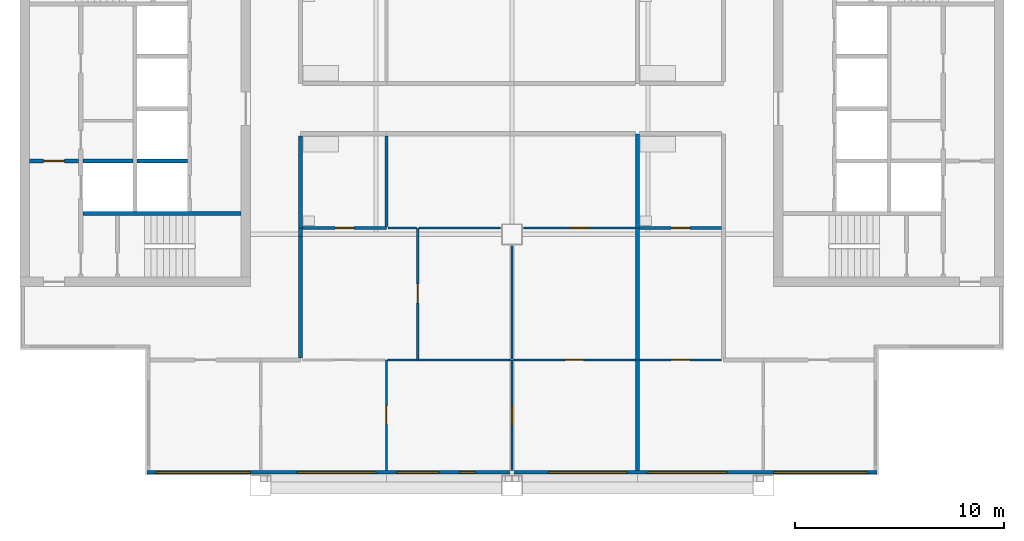
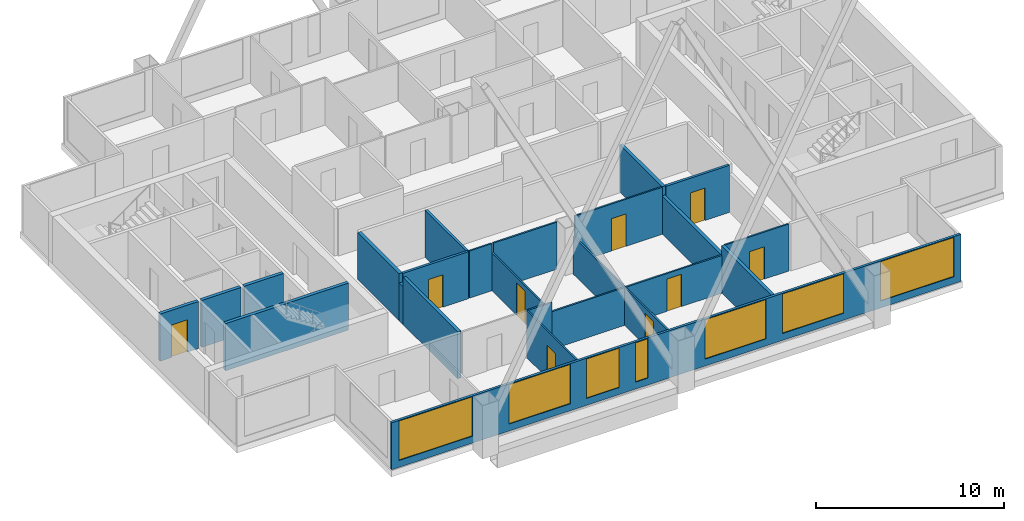
# One storey, part 2 of 8: 25 walls, 9 doors, 7 windows, 16 openings.
"""IFC4 building model written with IfcOpenShell, lengths in metres."""

from ifc_helpers import new_model, si_unit, direction, frame, frame_2d, origin, place, context, subcontext, project, spatial, rectangle, extrude, material, layer, layer_set, type_object, element, fill, save


model = new_model("IFC4")

# Units and contexts
model_context = context("Model", 3, precision=1e-05, world=origin(), true_north=direction((0.0, 1.0)))
body_context = subcontext(model_context, "Body", "Model", "MODEL_VIEW")
ifc_project = project(units=[si_unit("LENGTHUNIT", "METRE"), si_unit("AREAUNIT", "SQUARE_METRE"), si_unit("VOLUMEUNIT", "CUBIC_METRE"), si_unit("PLANEANGLEUNIT", "RADIAN"), si_unit("MASSUNIT", "GRAM", prefix="KILO")], contexts=[model_context])

# Site, building, storey
site_placement = place(None, origin())
site = spatial("IfcSite", under=ifc_project, at=site_placement, CompositionType="ELEMENT")
building_placement = place(site_placement, origin())
building = spatial("IfcBuilding", under=site, at=building_placement, Name="Kitamizu Gate Tower and Museum", CompositionType="ELEMENT")
storey_placement = place(building_placement, frame((0.0, 0.0, 259.35009765625)))
storey = spatial("IfcBuildingStorey", under=building, at=storey_placement, Name="L70", CompositionType="ELEMENT", Elevation=259.35009765625)

# Wall, opening, door
ifc_material_1 = material(Name="Gypsum board on galvanised stud")
ifc_layer_1 = layer(ifc_material_1, 0.10009765625)
ifc_layer_set_1 = layer_set([ifc_layer_1], Name="Gypsum board on galvanised stud")
wall_type_1 = type_object("IfcWallType", Name="Partition 100 NOT RATED", PredefinedType="PARTITIONING", material=ifc_layer_set_1)
wall_1_placement = place(storey_placement, frame((30.0, 12.719970703125, 0.0), z_axis=(0.0, 0.0, 1.0), x_axis=(0.0, 1.0, 0.0)))
wall_1 = element("IfcWall", 1, at=wall_1_placement, inside=storey, type_object=wall_type_1, Name="Partition L70-003", PredefinedType="PARTITIONING", context=body_context, shape_type="SweptSolid", body=[
    extrude(rectangle(XDim=5.280029296875, YDim=0.10009765625, at=frame_2d((2.64013671875, 0.0))), origin(), (0.0, 0.0, 1.0), 3.0498046875),
])
opening_1_placement = place(wall_1_placement, frame((2.18994140625, 0.0, 0.0)))
opening_1 = element("IfcOpeningElement", 2, at=opening_1_placement, cuts=wall_1, Name="Opening L70-003", PredefinedType="OPENING", context=body_context, shape_type="SweptSolid", body=[
    extrude(rectangle(XDim=0.89990234375, YDim=2.10009765625, at=frame_2d((0.449951171875, 1.050048828125))), frame((0.0, 0.06005859375, 0.0), z_axis=(0.0, -1.0, 0.0), x_axis=(1.0, 0.0, 0.0)), (0.0, 0.0, 1.0), 0.1201171875),
])
ifc_material_2 = material(Name="Timber door set", Category="wood")
door_type_1 = type_object("IfcDoorType", Name="Room door 900", OperationType="NOTDEFINED", PredefinedType="DOOR", material=ifc_material_2)
door_1_placement = place(opening_1_placement, origin())
door_1 = element("IfcDoor", 3, at=door_1_placement, inside=storey, type_object=door_type_1, Name="Door L70-003", OperationType="SINGLE_SWING_RIGHT", OverallHeight=2.10009765625, OverallWidth=0.89990234375, PredefinedType="DOOR", context=body_context, shape_type="SweptSolid", body=[
    extrude(rectangle(XDim=0.89990234375, YDim=2.10009765625, at=frame_2d((0.449951171875, 1.050048828125))), frame((0.0, 0.02490234375, 0.0), z_axis=(0.0, -1.0, 0.0), x_axis=(1.0, 0.0, 0.0)), (0.0, 0.0, 1.0), 0.050048828125),
])
fill(opening_1, door_1)

wall_2_placement = place(storey_placement, frame((36.0, 12.719970703125, 0.0), z_axis=(0.0, 0.0, 1.0), x_axis=(0.0, 1.0, 0.0)))
wall_2 = element("IfcWall", 4, at=wall_2_placement, inside=storey, type_object=wall_type_1, Name="Partition L70-006", PredefinedType="PARTITIONING", context=body_context, shape_type="SweptSolid", body=[
    extrude(rectangle(XDim=5.280029296875, YDim=0.10009765625, at=frame_2d((2.64013671875, 0.0))), origin(), (0.0, 0.0, 1.0), 2.449951171875),
])
opening_2_placement = place(wall_2_placement, frame((2.18994140625, 0.0, 0.0)))
opening_2 = element("IfcOpeningElement", 5, at=opening_2_placement, cuts=wall_2, Name="Opening L70-004", PredefinedType="OPENING", context=body_context, shape_type="SweptSolid", body=[
    extrude(rectangle(XDim=0.89990234375, YDim=2.10009765625, at=frame_2d((0.449951171875, 1.050048828125))), frame((0.0, 0.06005859375, 0.0), z_axis=(0.0, -1.0, 0.0), x_axis=(1.0, 0.0, 0.0)), (0.0, 0.0, 1.0), 0.1201171875),
])
door_2_placement = place(opening_2_placement, origin())
door_2 = element("IfcDoor", 6, at=door_2_placement, inside=storey, type_object=door_type_1, Name="Door L70-004", OperationType="SINGLE_SWING_LEFT", OverallHeight=2.10009765625, OverallWidth=0.89990234375, PredefinedType="DOOR", context=body_context, shape_type="SweptSolid", body=[
    extrude(rectangle(XDim=0.89990234375, YDim=2.10009765625, at=frame_2d((0.449951171875, 1.050048828125))), frame((0.0, 0.02490234375, 0.0), z_axis=(0.0, -1.0, 0.0), x_axis=(1.0, 0.0, 0.0)), (0.0, 0.0, 1.0), 0.050048828125),
])
fill(opening_2, door_2)

# Walls
wall_3_placement = place(storey_placement, frame((31.5, 18.0, 0.0), z_axis=(0.0, 0.0, 1.0), x_axis=(-1.0, 0.0, 0.0)))
element("IfcWall", 7, at=wall_3_placement, inside=storey, type_object=wall_type_1, Name="Partition L70-007", PredefinedType="PARTITIONING", context=body_context, shape_type="SweptSolid", body=[
    extrude(rectangle(XDim=1.449951171875, YDim=0.10009765625, at=frame_2d((0.72509765625, 0.0))), origin(), (0.0, 0.0, 1.0), 3.0498046875),
])
wall_4_placement = place(storey_placement, frame((35.949951171875, 18.0, 0.0), z_axis=(0.0, 0.0, 1.0), x_axis=(-1.0, 0.0, 0.0)))
element("IfcWall", 8, at=wall_4_placement, inside=storey, type_object=wall_type_1, Name="Partition L70-008", PredefinedType="PARTITIONING", context=body_context, shape_type="SweptSolid", body=[
    extrude(rectangle(XDim=4.449951171875, YDim=0.10009765625, at=frame_2d((2.22509765625, 0.0))), origin(), (0.0, 0.0, 1.0), 2.449951171875),
])

# Wall, opening, door
wall_5_placement = place(storey_placement, frame((41.89990234375, 18.0, 0.0), z_axis=(0.0, 0.0, 1.0), x_axis=(-1.0, 0.0, 0.0)))
wall_5 = element("IfcWall", 9, at=wall_5_placement, inside=storey, type_object=wall_type_1, Name="Partition L70-009", PredefinedType="PARTITIONING", context=body_context, shape_type="SweptSolid", body=[
    extrude(rectangle(XDim=5.849853515625, YDim=0.10009765625, at=frame_2d((2.9248046875, 0.0))), origin(), (0.0, 0.0, 1.0), 2.449951171875),
])
opening_3_placement = place(wall_5_placement, frame((2.47509765625, 0.0, 0.0)))
opening_3 = element("IfcOpeningElement", 10, at=opening_3_placement, cuts=wall_5, Name="Opening L70-007", PredefinedType="OPENING", context=body_context, shape_type="SweptSolid", body=[
    extrude(rectangle(XDim=0.89990234375, YDim=2.10009765625, at=frame_2d((0.449951171875, 1.050048828125))), frame((0.0, 0.06005859375, 0.0), z_axis=(0.0, -1.0, 0.0), x_axis=(1.0, 0.0, 0.0)), (0.0, 0.0, 1.0), 0.1201171875),
])
door_3_placement = place(opening_3_placement, origin())
door_3 = element("IfcDoor", 11, at=door_3_placement, inside=storey, type_object=door_type_1, Name="Door L70-007", OperationType="SINGLE_SWING_RIGHT", OverallHeight=2.10009765625, OverallWidth=0.89990234375, PredefinedType="DOOR", context=body_context, shape_type="SweptSolid", body=[
    extrude(rectangle(XDim=0.89990234375, YDim=2.10009765625, at=frame_2d((0.449951171875, 1.050048828125))), frame((0.0, 0.02490234375, 0.0), z_axis=(0.0, -1.0, 0.0), x_axis=(1.0, 0.0, 0.0)), (0.0, 0.0, 1.0), 0.050048828125),
])
fill(opening_3, door_3)

wall_6_placement = place(storey_placement, frame((31.5, 18.050048828125, 0.0), z_axis=(0.0, 0.0, 1.0), x_axis=(0.0, 1.0, 0.0)))
wall_6 = element("IfcWall", 12, at=wall_6_placement, inside=storey, type_object=wall_type_1, Name="Partition L70-011", PredefinedType="PARTITIONING", context=body_context, shape_type="SweptSolid", body=[
    extrude(rectangle(XDim=6.25, YDim=0.10009765625, at=frame_2d((3.125, 0.0))), origin(), (0.0, 0.0, 1.0), 2.449951171875),
])
opening_4_placement = place(wall_6_placement, frame((2.675048828125, 0.0, 0.0)))
opening_4 = element("IfcOpeningElement", 13, at=opening_4_placement, cuts=wall_6, Name="Opening L70-006", PredefinedType="OPENING", context=body_context, shape_type="SweptSolid", body=[
    extrude(rectangle(XDim=0.89990234375, YDim=2.10009765625, at=frame_2d((0.449951171875, 1.050048828125))), frame((0.0, 0.06005859375, 0.0), z_axis=(0.0, -1.0, 0.0), x_axis=(1.0, 0.0, 0.0)), (0.0, 0.0, 1.0), 0.1201171875),
])
door_4_placement = place(opening_4_placement, frame((0.89990234375, 0.0, 0.0), x_axis=(-1.0, 0.0, 0.0)))
door_4 = element("IfcDoor", 14, at=door_4_placement, inside=storey, type_object=door_type_1, Name="Door L70-006", OperationType="SINGLE_SWING_RIGHT", OverallHeight=2.10009765625, OverallWidth=0.89990234375, PredefinedType="DOOR", context=body_context, shape_type="SweptSolid", body=[
    extrude(rectangle(XDim=0.89990234375, YDim=2.10009765625, at=frame_2d((0.449951171875, 1.050048828125))), frame((0.0, 0.02490234375, 0.0), z_axis=(0.0, -1.0, 0.0), x_axis=(1.0, 0.0, 0.0)), (0.0, 0.0, 1.0), 0.050048828125),
])
fill(opening_4, door_4)

# Walls
wall_7_placement = place(storey_placement, frame((31.449951171875, 24.300048828125, 0.0), z_axis=(0.0, 0.0, 1.0), x_axis=(-1.0, 0.0, 0.0)))
element("IfcWall", 15, at=wall_7_placement, inside=storey, type_object=wall_type_1, Name="Partition L70-013", PredefinedType="PARTITIONING", context=body_context, shape_type="SweptSolid", body=[
    extrude(rectangle(XDim=1.375, YDim=0.10009765625, at=frame_2d((0.6875, 0.0))), origin(), (0.0, 0.0, 1.0), 3.0498046875),
])
wall_8_placement = place(storey_placement, frame((36.0, 18.050048828125, 0.0), z_axis=(0.0, 0.0, 1.0), x_axis=(0.0, 1.0, 0.0)))
element("IfcWall", 16, at=wall_8_placement, inside=storey, type_object=wall_type_1, Name="Partition L70-016", PredefinedType="PARTITIONING", context=body_context, shape_type="SweptSolid", body=[
    extrude(rectangle(XDim=5.39990234375, YDim=0.10009765625, at=frame_2d((2.699951171875, 0.0))), origin(), (0.0, 0.0, 1.0), 2.449951171875),
])
wall_9_placement = place(storey_placement, frame((35.449951171875, 24.300048828125, 0.0), z_axis=(0.0, 0.0, 1.0), x_axis=(-1.0, 0.0, 0.0)))
element("IfcWall", 17, at=wall_9_placement, inside=storey, type_object=wall_type_1, Name="Partition L70-017", PredefinedType="PARTITIONING", context=body_context, shape_type="SweptSolid", body=[
    extrude(rectangle(XDim=3.89990234375, YDim=0.10009765625, at=frame_2d((1.949951171875, 0.0))), origin(), (0.0, 0.0, 1.0), 3.0498046875),
])

# Wall, opening, door
wall_10_placement = place(storey_placement, frame((41.89990234375, 24.300048828125, 0.0), z_axis=(0.0, 0.0, 1.0), x_axis=(-1.0, 0.0, 0.0)))
wall_10 = element("IfcWall", 18, at=wall_10_placement, inside=storey, type_object=wall_type_1, Name="Partition L70-018", PredefinedType="PARTITIONING", context=body_context, shape_type="SweptSolid", body=[
    extrude(rectangle(XDim=5.349853515625, YDim=0.10009765625, at=frame_2d((2.6748046875, 0.0))), origin(), (0.0, 0.0, 1.0), 3.0498046875),
])
opening_5_placement = place(wall_10_placement, frame((2.22509765625, 0.0, 0.0)))
opening_5 = element("IfcOpeningElement", 19, at=opening_5_placement, cuts=wall_10, Name="Opening L70-009", PredefinedType="OPENING", context=body_context, shape_type="SweptSolid", body=[
    extrude(rectangle(XDim=0.89990234375, YDim=2.10009765625, at=frame_2d((0.449951171875, 1.050048828125))), frame((0.0, 0.06005859375, 0.0), z_axis=(0.0, -1.0, 0.0), x_axis=(1.0, 0.0, 0.0)), (0.0, 0.0, 1.0), 0.1201171875),
])
door_5_placement = place(opening_5_placement, origin())
door_5 = element("IfcDoor", 20, at=door_5_placement, inside=storey, type_object=door_type_1, Name="Door L70-009", OperationType="SINGLE_SWING_RIGHT", OverallHeight=2.10009765625, OverallWidth=0.89990234375, PredefinedType="DOOR", context=body_context, shape_type="SweptSolid", body=[
    extrude(rectangle(XDim=0.89990234375, YDim=2.10009765625, at=frame_2d((0.449951171875, 1.050048828125))), frame((0.0, 0.02490234375, 0.0), z_axis=(0.0, -1.0, 0.0), x_axis=(1.0, 0.0, 0.0)), (0.0, 0.0, 1.0), 0.050048828125),
])
fill(opening_5, door_5)

wall_11_placement = place(storey_placement, frame((46.0, 18.0, 0.0), z_axis=(0.0, 0.0, 1.0), x_axis=(-1.0, 0.0, 0.0)))
wall_11 = element("IfcWall", 21, at=wall_11_placement, inside=storey, type_object=wall_type_1, Name="Partition L70-060", PredefinedType="PARTITIONING", context=body_context, shape_type="SweptSolid", body=[
    extrude(rectangle(XDim=3.89990234375, YDim=0.10009765625, at=frame_2d((1.949951171875, 0.0))), origin(), (0.0, 0.0, 1.0), 3.0498046875),
])
opening_6_placement = place(wall_11_placement, frame((1.5, 0.0, 0.0)))
opening_6 = element("IfcOpeningElement", 22, at=opening_6_placement, cuts=wall_11, Name="Opening L70-023", PredefinedType="OPENING", context=body_context, shape_type="SweptSolid", body=[
    extrude(rectangle(XDim=0.89990234375, YDim=2.10009765625, at=frame_2d((0.449951171875, 1.050048828125))), frame((0.0, 0.06005859375, 0.0), z_axis=(0.0, -1.0, 0.0), x_axis=(1.0, 0.0, 0.0)), (0.0, 0.0, 1.0), 0.1201171875),
])
door_6_placement = place(opening_6_placement, frame((0.89990234375, 0.0, 0.0), x_axis=(-1.0, 0.0, 0.0)))
door_6 = element("IfcDoor", 23, at=door_6_placement, inside=storey, type_object=door_type_1, Name="Door L70-023", OperationType="SINGLE_SWING_LEFT", OverallHeight=2.10009765625, OverallWidth=0.89990234375, PredefinedType="DOOR", context=body_context, shape_type="SweptSolid", body=[
    extrude(rectangle(XDim=0.89990234375, YDim=2.10009765625, at=frame_2d((0.449951171875, 1.050048828125))), frame((0.0, 0.02490234375, 0.0), z_axis=(0.0, -1.0, 0.0), x_axis=(1.0, 0.0, 0.0)), (0.0, 0.0, 1.0), 0.050048828125),
])
fill(opening_6, door_6)

ifc_material_3 = material(Name="Gypsum board on galvanised stud")
ifc_layer_2 = layer(ifc_material_3, 0.14990234375)
ifc_layer_set_2 = layer_set([ifc_layer_2], Name="Gypsum board on galvanised stud")
wall_type_2 = type_object("IfcWallType", Name="Partition 150", PredefinedType="PARTITIONING", material=ifc_layer_set_2)
wall_12_placement = place(storey_placement, frame((30.0, 24.300048828125, 0.0), z_axis=(0.0, 0.0, 1.0), x_axis=(-1.0, 0.0, 0.0)))
wall_12 = element("IfcWall", 24, at=wall_12_placement, inside=storey, type_object=wall_type_2, Name="Partition L70-012", PredefinedType="PARTITIONING", context=body_context, shape_type="SweptSolid", body=[
    extrude(rectangle(XDim=4.0, YDim=0.14990234375, at=frame_2d((2.0, 0.0))), origin(), (0.0, 0.0, 1.0), 3.0498046875),
])
opening_7_placement = place(wall_12_placement, frame((1.550048828125, 0.0, 0.0)))
opening_7 = element("IfcOpeningElement", 25, at=opening_7_placement, cuts=wall_12, Name="Opening L70-008", PredefinedType="OPENING", context=body_context, shape_type="SweptSolid", body=[
    extrude(rectangle(XDim=0.89990234375, YDim=2.10009765625, at=frame_2d((0.449951171875, 1.050048828125))), frame((0.0, 0.0849609375, 0.0), z_axis=(0.0, -1.0, 0.0), x_axis=(1.0, 0.0, 0.0)), (0.0, 0.0, 1.0), 0.169921875),
])
ifc_material_4 = material(Name="Timber door set", Category="wood")
door_type_2 = type_object("IfcDoorType", Name="Bathroom door 900", OperationType="NOTDEFINED", PredefinedType="DOOR", material=ifc_material_4)
door_7_placement = place(opening_7_placement, frame((0.89990234375, 0.0, 0.0), x_axis=(-1.0, 0.0, 0.0)))
door_7 = element("IfcDoor", 26, at=door_7_placement, inside=storey, type_object=door_type_2, Name="Bathroom door L70-008", OperationType="SINGLE_SWING_RIGHT", OverallHeight=2.10009765625, OverallWidth=0.89990234375, PredefinedType="DOOR", context=body_context, shape_type="SweptSolid", body=[
    extrude(rectangle(XDim=0.89990234375, YDim=2.10009765625, at=frame_2d((0.449951171875, 1.050048828125))), frame((0.0, 0.02490234375, 0.0), z_axis=(0.0, -1.0, 0.0), x_axis=(1.0, 0.0, 0.0)), (0.0, 0.0, 1.0), 0.050048828125),
])
fill(opening_7, door_7)

# Wall
wall_13_placement = place(storey_placement, frame((30.0, 24.375, 0.0), z_axis=(0.0, 0.0, 1.0), x_axis=(0.0, 1.0, 0.0)))
element("IfcWall", 27, at=wall_13_placement, inside=storey, type_object=wall_type_2, Name="Partition L70-020", PredefinedType="PARTITIONING", context=body_context, shape_type="SweptSolid", body=[
    extrude(rectangle(XDim=4.324951171875, YDim=0.14990234375, at=frame_2d((2.16259765625, 0.0))), origin(), (0.0, 0.0, 1.0), 3.0498046875),
])

# Wall, opening, door
wall_14_placement = place(storey_placement, frame((46.0, 24.300048828125, 0.0), z_axis=(0.0, 0.0, 1.0), x_axis=(-1.0, 0.0, 0.0)))
wall_14 = element("IfcWall", 28, at=wall_14_placement, inside=storey, type_object=wall_type_2, Name="Partition L70-063", PredefinedType="PARTITIONING", context=body_context, shape_type="SweptSolid", body=[
    extrude(rectangle(XDim=3.89990234375, YDim=0.14990234375, at=frame_2d((1.949951171875, 0.0))), origin(), (0.0, 0.0, 1.0), 3.0498046875),
])
opening_8_placement = place(wall_14_placement, frame((1.5, 0.0, 0.0)))
opening_8 = element("IfcOpeningElement", 29, at=opening_8_placement, cuts=wall_14, Name="Opening L70-024", PredefinedType="OPENING", context=body_context, shape_type="SweptSolid", body=[
    extrude(rectangle(XDim=0.89990234375, YDim=2.10009765625, at=frame_2d((0.449951171875, 1.050048828125))), frame((0.0, 0.0849609375, 0.0), z_axis=(0.0, -1.0, 0.0), x_axis=(1.0, 0.0, 0.0)), (0.0, 0.0, 1.0), 0.169921875),
])
door_8_placement = place(opening_8_placement, frame((0.89990234375, 0.0, 0.0), x_axis=(-1.0, 0.0, 0.0)))
door_8 = element("IfcDoor", 30, at=door_8_placement, inside=storey, type_object=door_type_2, Name="Bathroom door L70-024", OperationType="SINGLE_SWING_RIGHT", OverallHeight=2.10009765625, OverallWidth=0.89990234375, PredefinedType="DOOR", context=body_context, shape_type="SweptSolid", body=[
    extrude(rectangle(XDim=0.89990234375, YDim=2.10009765625, at=frame_2d((0.449951171875, 1.050048828125))), frame((0.0, 0.02490234375, 0.0), z_axis=(0.0, -1.0, 0.0), x_axis=(1.0, 0.0, 0.0)), (0.0, 0.0, 1.0), 0.050048828125),
])
fill(opening_8, door_8)

# Walls
ifc_material_5 = material(Name="Gypsum board on galvanised stud")
ifc_layer_3 = layer(ifc_material_5, 0.199951171875)
ifc_layer_set_3 = layer_set([ifc_layer_3], Name="Gypsum board on galvanised stud")
wall_type_3 = type_object("IfcWallType", Name="Partition 200", PredefinedType="PARTITIONING", material=ifc_layer_set_3)
wall_15_placement = place(storey_placement, frame((42.0, 12.719970703125, 0.0), z_axis=(0.0, 0.0, 1.0), x_axis=(0.0, 1.0, 0.0)))
element("IfcWall", 31, at=wall_15_placement, inside=storey, type_object=wall_type_3, Name="Partition L70-010", PredefinedType="PARTITIONING", context=body_context, shape_type="SweptSolid", body=[
    extrude(rectangle(XDim=5.280029296875, YDim=0.199951171875, at=frame_2d((2.64013671875, 0.0))), origin(), (0.0, 0.0, 1.0), 3.0498046875),
])
wall_16_placement = place(storey_placement, frame((25.89990234375, 24.300048828125, 0.0), z_axis=(0.0, 0.0, 1.0), x_axis=(0.0, -1.0, 0.0)))
element("IfcWall", 32, at=wall_16_placement, inside=storey, type_object=wall_type_3, Name="Partition L70-014", PredefinedType="PARTITIONING", context=body_context, shape_type="SweptSolid", body=[
    extrude(rectangle(XDim=0.400146484375, YDim=0.199951171875, at=frame_2d((0.2001953125, 0.0))), origin(), (0.0, 0.0, 1.0), 2.449951171875),
])
wall_17_placement = place(storey_placement, frame((25.89990234375, 23.89990234375, 0.0), z_axis=(0.0, 0.0, 1.0), x_axis=(0.0, -1.0, 0.0)))
element("IfcWall", 33, at=wall_17_placement, inside=storey, type_object=wall_type_3, Name="Partition L70-015", PredefinedType="PARTITIONING", context=body_context, shape_type="SweptSolid", body=[
    extrude(rectangle(XDim=5.7998046875, YDim=0.199951171875, at=frame_2d((2.89990234375, 0.0))), origin(), (0.0, 0.0, 1.0), 3.0498046875),
])
wall_18_placement = place(storey_placement, frame((42.0, 18.0, 0.0), z_axis=(0.0, 0.0, 1.0), x_axis=(0.0, 1.0, 0.0)))
element("IfcWall", 34, at=wall_18_placement, inside=storey, type_object=wall_type_3, Name="Partition L70-019", PredefinedType="PARTITIONING", context=body_context, shape_type="SweptSolid", body=[
    extrude(rectangle(XDim=6.300048828125, YDim=0.199951171875, at=frame_2d((3.14990234375, 0.0))), origin(), (0.0, 0.0, 1.0), 2.449951171875),
])
wall_19_placement = place(storey_placement, frame((25.89990234375, 28.699951171875, 0.0), z_axis=(0.0, 0.0, 1.0), x_axis=(0.0, -1.0, 0.0)))
element("IfcWall", 35, at=wall_19_placement, inside=storey, type_object=wall_type_3, Name="Partition L70-022", PredefinedType="PARTITIONING", context=body_context, shape_type="SweptSolid", body=[
    extrude(rectangle(XDim=4.39990234375, YDim=0.199951171875, at=frame_2d((2.199951171875, 0.0))), origin(), (0.0, 0.0, 1.0), 3.0498046875),
])
wall_20_placement = place(storey_placement, frame((42.0, 24.300048828125, 0.0), z_axis=(0.0, 0.0, 1.0), x_axis=(0.0, 1.0, 0.0)))
element("IfcWall", 36, at=wall_20_placement, inside=storey, type_object=wall_type_3, Name="Partition L70-023", PredefinedType="PARTITIONING", context=body_context, shape_type="SweptSolid", body=[
    extrude(rectangle(XDim=4.5, YDim=0.199951171875, at=frame_2d((2.25, 0.0))), origin(), (0.0, 0.0, 1.0), 3.0498046875),
])
ifc_material_6 = material(Name="Concrete Fc42", Category="concrete")
ifc_layer_4 = layer(ifc_material_6, 0.199951171875)
ifc_layer_set_4 = layer_set([ifc_layer_4], Name="Concrete Fc42")
wall_type_4 = type_object("IfcWallType", Name="Shaft wall 200", PredefinedType="SOLIDWALL", material=ifc_layer_set_4)
wall_21_placement = place(storey_placement, frame((15.5, 25.0, 0.0), z_axis=(0.0, 0.0, 1.0), x_axis=(1.0, 0.0, 0.0)))
element("IfcWall", 37, at=wall_21_placement, inside=storey, type_object=wall_type_4, Name="Shaft wall WSB", PredefinedType="SOLIDWALL", context=body_context, shape_type="SweptSolid", body=[
    extrude(rectangle(XDim=7.550048828125, YDim=0.199951171875, at=frame_2d((3.77490234375, 0.0))), origin(), (0.0, 0.0, 1.0), 3.0498046875),
])

# Wall, opening, door
wall_22_placement = place(storey_placement, frame((12.949951171875, 27.5, 0.0), z_axis=(0.0, 0.0, 1.0), x_axis=(1.0, 0.0, 0.0)))
wall_22 = element("IfcWall", 38, at=wall_22_placement, inside=storey, type_object=wall_type_4, Name="Shaft wall WFFN", PredefinedType="SOLIDWALL", context=body_context, shape_type="SweptSolid", body=[
    extrude(rectangle(XDim=2.35009765625, YDim=0.199951171875, at=frame_2d((1.175048828125, 0.0))), origin(), (0.0, 0.0, 1.0), 3.0498046875),
])
opening_9_placement = place(wall_22_placement, frame((0.675048828125, 0.0, 0.0)))
opening_9 = element("IfcOpeningElement", 39, at=opening_9_placement, cuts=wall_22, Name="Opening L70-033", PredefinedType="OPENING", context=body_context, shape_type="SweptSolid", body=[
    extrude(rectangle(XDim=1.0, YDim=2.10009765625, at=frame_2d((0.5, 1.050048828125))), frame((0.0, 0.10986328125, 0.0), z_axis=(0.0, -1.0, 0.0), x_axis=(1.0, 0.0, 0.0)), (0.0, 0.0, 1.0), 0.219970703125),
])
ifc_material_7 = material(Name="Hollow metal door set")
door_type_3 = type_object("IfcDoorType", Name="Fire door 1000", OperationType="NOTDEFINED", PredefinedType="DOOR", material=ifc_material_7)
door_9_placement = place(opening_9_placement, frame((1.0, 0.0, 0.0), x_axis=(-1.0, 0.0, 0.0)))
door_9 = element("IfcDoor", 40, at=door_9_placement, inside=storey, type_object=door_type_3, Name="Fire-fighting lobby door L70-033", OperationType="SINGLE_SWING_LEFT", OverallHeight=2.10009765625, OverallWidth=1.0, PredefinedType="DOOR", context=body_context, shape_type="SweptSolid", body=[
    extrude(rectangle(XDim=1.0, YDim=2.10009765625, at=frame_2d((0.5, 1.050048828125))), frame((0.0, 0.02490234375, 0.0), z_axis=(0.0, -1.0, 0.0), x_axis=(1.0, 0.0, 0.0)), (0.0, 0.0, 1.0), 0.050048828125),
])
fill(opening_9, door_9)

# Walls
for number, where, z_axis, x_axis, name in (
    (41, (15.5, 27.5, 0.0), (0.0, 0.0, 1.0), (1.0, 0.0, 0.0), "Shaft wall WDVW0"),
    (42, (18.10009765625, 27.5, 0.0), (0.0, 0.0, 1.0), (1.0, 0.0, 0.0), "Shaft wall WDVE0"),
):
    element("IfcWall", number, at=place(storey_placement, frame(where, z_axis=z_axis, x_axis=x_axis)), inside=storey, type_object=wall_type_4, Name=name, PredefinedType="SOLIDWALL", context=body_context, shape_type="SweptSolid", body=[
        extrude(rectangle(XDim=2.39990234375, YDim=0.199951171875, at=frame_2d((1.199951171875, 0.0))), origin(), (0.0, 0.0, 1.0), 3.0498046875),
    ])

# Wall, openings, windows
ifc_material_8 = material(Name="Bronze anodised aluminium frame with insulated spandrel and tinted glass", Category="aluminium")
ifc_layer_5 = layer(ifc_material_8, 0.14990234375)
ifc_layer_set_5 = layer_set([ifc_layer_5], Name="Bronze anodised aluminium frame with insulated spandrel and tinted glass")
wall_type_5 = type_object("IfcWallType", Name="WINDOW WALL 150 BRONZE FRAME EI 30", PredefinedType="ELEMENTEDWALL", material=ifc_layer_set_5)
wall_23_placement = place(storey_placement, frame((18.56005859375, 12.635009765625, 0.0), z_axis=(0.0, 0.0, 1.0), x_axis=(1.0, 0.0, 0.0)))
wall_23 = element("IfcWall", 43, at=wall_23_placement, inside=storey, type_object=wall_type_5, Name="Window wall south L70", PredefinedType="ELEMENTEDWALL", context=body_context, shape_type="SweptSolid", body=[
    extrude(rectangle(XDim=34.8798828125, YDim=0.14990234375, at=frame_2d((17.43994140625, 0.0))), origin(), (0.0, 0.0, 1.0), 3.0498046875),
])
opening_10_placement = place(wall_23_placement, frame((0.43994140625, 0.0, 0.449951171875)))
opening_10 = element("IfcOpeningElement", 44, at=opening_10_placement, cuts=wall_23, Name="Opening W15", PredefinedType="OPENING", context=body_context, shape_type="SweptSolid", body=[
    extrude(rectangle(XDim=4.5, YDim=2.550048828125, at=frame_2d((2.25, 1.27490234375))), frame((0.0, 0.0849609375, 0.0), z_axis=(0.0, -1.0, 0.0), x_axis=(1.0, 0.0, 0.0)), (0.0, 0.0, 1.0), 0.169921875),
])
opening_11_placement = place(wall_23_placement, frame((7.18994140625, 0.0, 0.449951171875)))
opening_11 = element("IfcOpeningElement", 45, at=opening_11_placement, cuts=wall_23, Name="Opening W36", PredefinedType="OPENING", context=body_context, shape_type="SweptSolid", body=[
    extrude(rectangle(XDim=3.75, YDim=2.550048828125, at=frame_2d((1.875, 1.27490234375))), frame((0.0, 0.0849609375, 0.0), z_axis=(0.0, -1.0, 0.0), x_axis=(1.0, 0.0, 0.0)), (0.0, 0.0, 1.0), 0.169921875),
])
opening_12_placement = place(wall_23_placement, frame((11.93994140625, 0.0, 0.449951171875)))
opening_12 = element("IfcOpeningElement", 46, at=opening_12_placement, cuts=wall_23, Name="Opening W2", PredefinedType="OPENING", context=body_context, shape_type="SweptSolid", body=[
    extrude(rectangle(XDim=2.0, YDim=2.550048828125, at=frame_2d((1.0, 1.27490234375))), frame((0.0, 0.0849609375, 0.0), z_axis=(0.0, -1.0, 0.0), x_axis=(1.0, 0.0, 0.0)), (0.0, 0.0, 1.0), 0.169921875),
])
opening_13_placement = place(wall_23_placement, frame((14.93994140625, 0.0, 0.449951171875)))
opening_13 = element("IfcOpeningElement", 47, at=opening_13_placement, cuts=wall_23, Name="Opening W25", PredefinedType="OPENING", context=body_context, shape_type="SweptSolid", body=[
    extrude(rectangle(XDim=0.75, YDim=2.550048828125, at=frame_2d((0.375, 1.27490234375))), frame((0.0, 0.0849609375, 0.0), z_axis=(0.0, -1.0, 0.0), x_axis=(1.0, 0.0, 0.0)), (0.0, 0.0, 1.0), 0.169921875),
])
opening_14_placement = place(wall_23_placement, frame((19.18994140625, 0.0, 0.449951171875)))
opening_14 = element("IfcOpeningElement", 48, at=opening_14_placement, cuts=wall_23, Name="Opening W36", PredefinedType="OPENING", context=body_context, shape_type="SweptSolid", body=[
    extrude(rectangle(XDim=3.75, YDim=2.550048828125, at=frame_2d((1.875, 1.27490234375))), frame((0.0, 0.0849609375, 0.0), z_axis=(0.0, -1.0, 0.0), x_axis=(1.0, 0.0, 0.0)), (0.0, 0.0, 1.0), 0.169921875),
])
opening_15_placement = place(wall_23_placement, frame((23.93994140625, 0.0, 0.449951171875)))
opening_15 = element("IfcOpeningElement", 49, at=opening_15_placement, cuts=wall_23, Name="Opening W36", PredefinedType="OPENING", context=body_context, shape_type="SweptSolid", body=[
    extrude(rectangle(XDim=3.75, YDim=2.550048828125, at=frame_2d((1.875, 1.27490234375))), frame((0.0, 0.0849609375, 0.0), z_axis=(0.0, -1.0, 0.0), x_axis=(1.0, 0.0, 0.0)), (0.0, 0.0, 1.0), 0.169921875),
])
opening_16_placement = place(wall_23_placement, frame((29.93994140625, 0.0, 0.449951171875)))
opening_16 = element("IfcOpeningElement", 50, at=opening_16_placement, cuts=wall_23, Name="Opening W15", PredefinedType="OPENING", context=body_context, shape_type="SweptSolid", body=[
    extrude(rectangle(XDim=4.5, YDim=2.550048828125, at=frame_2d((2.25, 1.27490234375))), frame((0.0, 0.0849609375, 0.0), z_axis=(0.0, -1.0, 0.0), x_axis=(1.0, 0.0, 0.0)), (0.0, 0.0, 1.0), 0.169921875),
])
ifc_material_9 = material(Name="Bronze anodised aluminium frame, tinted triple glazing", Category="aluminium")
window_type_1 = type_object("IfcWindowType", Name="WINDOW 2000 x 2550 SILL 450", PartitioningType="SINGLE_PANEL", PredefinedType="WINDOW", material=ifc_material_9)
window_1_placement = place(opening_12_placement, origin())
window_1 = element("IfcWindow", 51, at=window_1_placement, inside=storey, type_object=window_type_1, Name="Window W2 L70", OverallHeight=2.550048828125, OverallWidth=2.0, PartitioningType="SINGLE_PANEL", PredefinedType="WINDOW", context=body_context, shape_type="SweptSolid", body=[
    extrude(rectangle(XDim=2.0, YDim=2.550048828125, at=frame_2d((1.0, 1.27490234375))), frame((0.0, 0.030029296875, 0.0), z_axis=(0.0, -1.0, 0.0), x_axis=(1.0, 0.0, 0.0)), (0.0, 0.0, 1.0), 0.06005859375),
])
fill(opening_12, window_1)
ifc_material_10 = material(Name="Bronze anodised aluminium frame, tinted triple glazing", Category="aluminium")
window_type_2 = type_object("IfcWindowType", Name="WINDOW 3750 x 2550 SILL 450", PartitioningType="SINGLE_PANEL", PredefinedType="WINDOW", material=ifc_material_10)
window_2_placement = place(opening_11_placement, origin())
window_2 = element("IfcWindow", 52, at=window_2_placement, inside=storey, type_object=window_type_2, Name="Window W36 L70", OverallHeight=2.550048828125, OverallWidth=3.75, PartitioningType="SINGLE_PANEL", PredefinedType="WINDOW", context=body_context, shape_type="SweptSolid", body=[
    extrude(rectangle(XDim=3.75, YDim=2.550048828125, at=frame_2d((1.875, 1.27490234375))), frame((0.0, 0.030029296875, 0.0), z_axis=(0.0, -1.0, 0.0), x_axis=(1.0, 0.0, 0.0)), (0.0, 0.0, 1.0), 0.06005859375),
])
fill(opening_11, window_2)
window_3_placement = place(opening_14_placement, origin())
window_3 = element("IfcWindow", 53, at=window_3_placement, inside=storey, type_object=window_type_2, Name="Window W36 L70", OverallHeight=2.550048828125, OverallWidth=3.75, PartitioningType="SINGLE_PANEL", PredefinedType="WINDOW", context=body_context, shape_type="SweptSolid", body=[
    extrude(rectangle(XDim=3.75, YDim=2.550048828125, at=frame_2d((1.875, 1.27490234375))), frame((0.0, 0.030029296875, 0.0), z_axis=(0.0, -1.0, 0.0), x_axis=(1.0, 0.0, 0.0)), (0.0, 0.0, 1.0), 0.06005859375),
])
fill(opening_14, window_3)
window_4_placement = place(opening_15_placement, origin())
window_4 = element("IfcWindow", 54, at=window_4_placement, inside=storey, type_object=window_type_2, Name="Window W36 L70", OverallHeight=2.550048828125, OverallWidth=3.75, PartitioningType="SINGLE_PANEL", PredefinedType="WINDOW", context=body_context, shape_type="SweptSolid", body=[
    extrude(rectangle(XDim=3.75, YDim=2.550048828125, at=frame_2d((1.875, 1.27490234375))), frame((0.0, 0.030029296875, 0.0), z_axis=(0.0, -1.0, 0.0), x_axis=(1.0, 0.0, 0.0)), (0.0, 0.0, 1.0), 0.06005859375),
])
fill(opening_15, window_4)
ifc_material_11 = material(Name="Bronze anodised aluminium frame, tinted triple glazing", Category="aluminium")
window_type_3 = type_object("IfcWindowType", Name="WINDOW 4500 x 2550 SILL 450", PartitioningType="SINGLE_PANEL", PredefinedType="WINDOW", material=ifc_material_11)
window_5_placement = place(opening_10_placement, origin())
window_5 = element("IfcWindow", 55, at=window_5_placement, inside=storey, type_object=window_type_3, Name="Window W15 L70", OverallHeight=2.550048828125, OverallWidth=4.5, PartitioningType="SINGLE_PANEL", PredefinedType="WINDOW", context=body_context, shape_type="SweptSolid", body=[
    extrude(rectangle(XDim=4.5, YDim=2.550048828125, at=frame_2d((2.25, 1.27490234375))), frame((0.0, 0.030029296875, 0.0), z_axis=(0.0, -1.0, 0.0), x_axis=(1.0, 0.0, 0.0)), (0.0, 0.0, 1.0), 0.06005859375),
])
fill(opening_10, window_5)
window_6_placement = place(opening_16_placement, origin())
window_6 = element("IfcWindow", 56, at=window_6_placement, inside=storey, type_object=window_type_3, Name="Window W15 L70", OverallHeight=2.550048828125, OverallWidth=4.5, PartitioningType="SINGLE_PANEL", PredefinedType="WINDOW", context=body_context, shape_type="SweptSolid", body=[
    extrude(rectangle(XDim=4.5, YDim=2.550048828125, at=frame_2d((2.25, 1.27490234375))), frame((0.0, 0.030029296875, 0.0), z_axis=(0.0, -1.0, 0.0), x_axis=(1.0, 0.0, 0.0)), (0.0, 0.0, 1.0), 0.06005859375),
])
fill(opening_16, window_6)
ifc_material_12 = material(Name="Bronze anodised aluminium frame, tinted triple glazing", Category="aluminium")
window_type_4 = type_object("IfcWindowType", Name="WINDOW 750 x 2550 SILL 450", PartitioningType="SINGLE_PANEL", PredefinedType="WINDOW", material=ifc_material_12)
window_7_placement = place(opening_13_placement, origin())
window_7 = element("IfcWindow", 57, at=window_7_placement, inside=storey, type_object=window_type_4, Name="Window W25 L70", OverallHeight=2.550048828125, OverallWidth=0.75, PartitioningType="SINGLE_PANEL", PredefinedType="WINDOW", context=body_context, shape_type="SweptSolid", body=[
    extrude(rectangle(XDim=0.75, YDim=2.550048828125, at=frame_2d((0.375, 1.27490234375))), frame((0.0, 0.030029296875, 0.0), z_axis=(0.0, -1.0, 0.0), x_axis=(1.0, 0.0, 0.0)), (0.0, 0.0, 1.0), 0.06005859375),
])
fill(opening_13, window_7)

save(model, "model.ifc")
